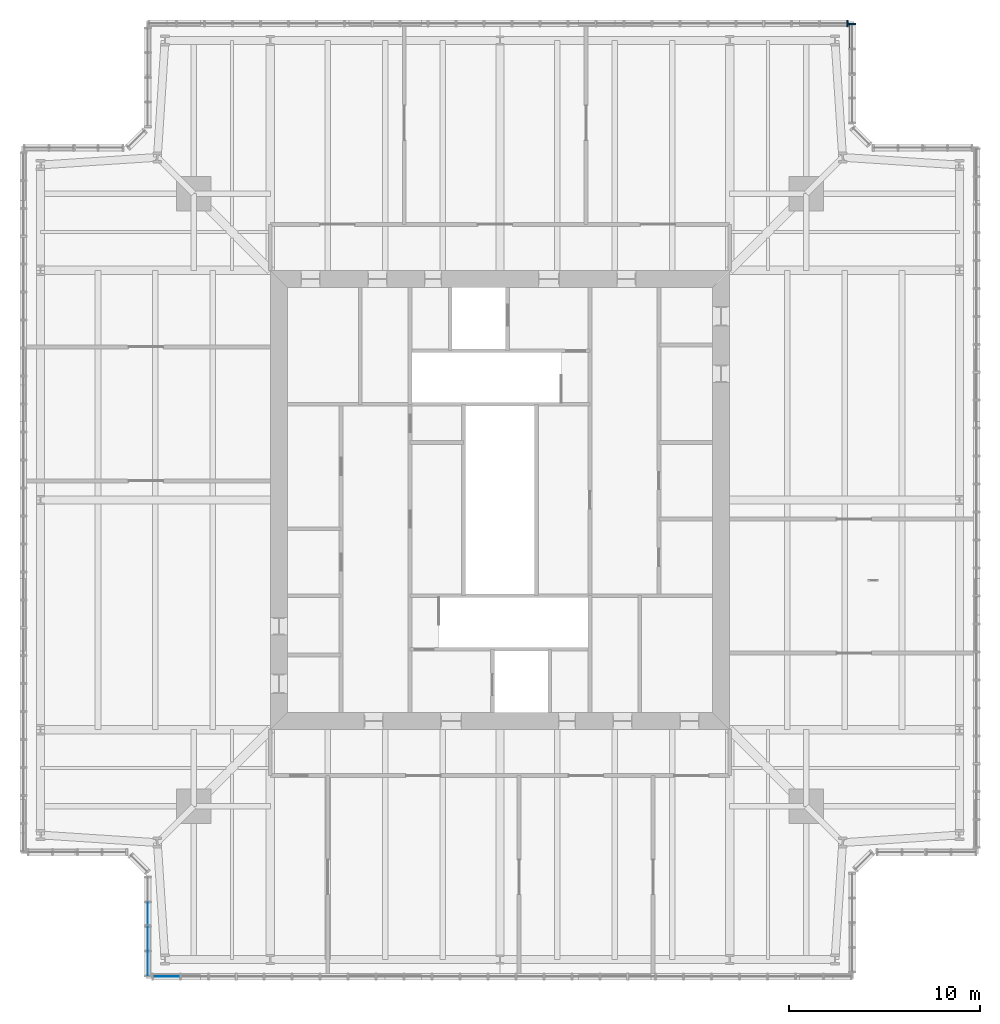
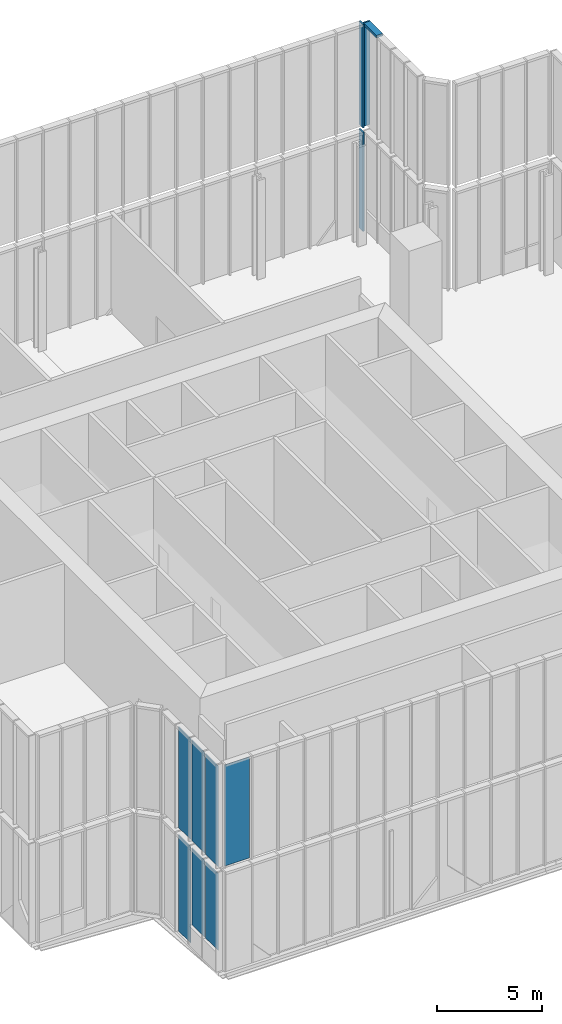
# One storey, part 12 of 25: 7 plates, 4 members, 6 elements without a shape of their own.
"""IFC4 building model written with IfcOpenShell, lengths in metres."""

from ifc_helpers import new_model, si_unit, direction, frame, origin, origin_2d, place, context, subcontext, project, spatial, polyline, rectangle, outline, extrude, material, layer, layer_set, material_profile, profile_set, type_object, element, aggregate, save


model = new_model("IFC4")

# Units and contexts
model_context = context("Model", 3, precision=1e-05, world=origin(), true_north=direction((0.0, 1.0)))
body_context = subcontext(model_context, "Body", "Model", "MODEL_VIEW")
ifc_project = project(units=[si_unit("LENGTHUNIT", "METRE"), si_unit("AREAUNIT", "SQUARE_METRE"), si_unit("VOLUMEUNIT", "CUBIC_METRE"), si_unit("PLANEANGLEUNIT", "RADIAN"), si_unit("MASSUNIT", "GRAM", prefix="KILO")], contexts=[model_context])

# Site, building, storey
site_placement = place(None, origin())
site = spatial("IfcSite", under=ifc_project, at=site_placement, CompositionType="ELEMENT")
building_placement = place(site_placement, origin())
building = spatial("IfcBuilding", under=site, at=building_placement, Name="Fenwick Lantern Interchange", CompositionType="ELEMENT")
storey_placement = place(building_placement, frame((0.0, 0.0, 307.800048828125)))
storey = spatial("IfcBuildingStorey", under=building, at=storey_placement, Name="L74", CompositionType="ELEMENT", Elevation=307.800048828125)

# Curtain wall, member
ifc_material_1 = material(Name="Aluminium curtain wall frame", Category="aluminium")
curtain_wall_type = type_object("IfcCurtainWallType", Name="LANTERN GLAZING", PredefinedType="USERDEFINED", material=ifc_material_1)
curtain_wall_1_placement = place(storey_placement, origin())
curtain_wall_1 = element("IfcCurtainWall", 1, at=curtain_wall_1_placement, inside=storey, type_object=curtain_wall_type, Name="Lantern glazing 09", ObjectType="LANTERN GLAZING", PredefinedType="USERDEFINED")
ifc_material_2 = material(Name="Aluminium extrusion", Category="aluminium")
ifc_material_profile_1 = material_profile(ifc_material_2, rectangle(XDim=0.35009765625, YDim=0.080078125, at=origin_2d()), Name="LANTERN GLAZING MULLION 80 X 350")
ifc_profile_set_1 = profile_set([ifc_material_profile_1], Name="Aluminium extrusion")
member_type_1 = type_object("IfcMemberType", Name="LANTERN GLAZING MULLION 80 X 350", PredefinedType="MULLION", material=ifc_profile_set_1)
member_1_placement = place(storey_placement, frame((43.159912109375, 49.89990234375, 0.0), z_axis=(0.0, 0.0, 1.0), x_axis=(0.0, -1.0, 0.0)))
member_1 = element("IfcMember", 2, at=member_1_placement, type_object=member_type_1, Name="L74/CW/09/M00", PredefinedType="MULLION", context=body_context, shape_type="SweptSolid", body=[
    extrude(rectangle(XDim=0.35009765625, YDim=0.080078125, at=origin_2d()), origin(), (0.0, 0.0, 1.0), 5.75),
])
aggregate(curtain_wall_1, [member_1])

curtain_wall_2_placement = place(storey_placement, origin())
curtain_wall_2 = element("IfcCurtainWall", 3, at=curtain_wall_2_placement, inside=storey, type_object=curtain_wall_type, Name="Lantern glazing 08", ObjectType="LANTERN GLAZING", PredefinedType="USERDEFINED")
member_2_placement = place(storey_placement, frame((43.39990234375, 49.860107421875, 6.0), z_axis=(0.0, 0.0, 1.0), x_axis=(-1.0, 0.0, 0.0)))
member_2 = element("IfcMember", 4, at=member_2_placement, type_object=member_type_1, Name="RF/LANTERN/08/M04", PredefinedType="MULLION", context=body_context, shape_type="SweptSolid", body=[
    extrude(rectangle(XDim=0.35009765625, YDim=0.080078125, at=origin_2d()), origin(), (0.0, 0.0, 1.0), 6.0),
])

curtain_wall_3_placement = place(storey_placement, origin())
curtain_wall_3 = element("IfcCurtainWall", 5, at=curtain_wall_3_placement, inside=storey, type_object=curtain_wall_type, Name="Lantern glazing 09", ObjectType="LANTERN GLAZING", PredefinedType="USERDEFINED")
member_3_placement = place(storey_placement, frame((43.159912109375, 49.89990234375, 6.0), z_axis=(0.0, 0.0, 1.0), x_axis=(0.0, -1.0, 0.0)))
member_3 = element("IfcMember", 6, at=member_3_placement, type_object=member_type_1, Name="RF/LANTERN/09/M00", PredefinedType="MULLION", context=body_context, shape_type="SweptSolid", body=[
    extrude(rectangle(XDim=0.35009765625, YDim=0.080078125, at=origin_2d()), origin(), (0.0, 0.0, 1.0), 6.0),
])
aggregate(curtain_wall_3, [member_3])

# Member
ifc_material_profile_2 = material_profile(ifc_material_2, rectangle(XDim=0.35009765625, YDim=0.139892578125, at=origin_2d()), Name="LANTERN GLAZING TRANSOM 140 X 350")
ifc_profile_set_2 = profile_set([ifc_material_profile_2], Name="Aluminium extrusion")
member_type_2 = type_object("IfcMemberType", Name="LANTERN GLAZING TRANSOM 140 X 350", PredefinedType="MULLION", material=ifc_profile_set_2)
member_4_placement = place(storey_placement, frame((43.39990234375, 48.609619140625, 11.929931640625), z_axis=(0.0, 1.0, 0.0), x_axis=(-1.0, 0.0, 0.0)))
member_4 = element("IfcMember", 7, at=member_4_placement, type_object=member_type_2, Name="RF/LANTERN/08/T03", PredefinedType="MULLION", context=body_context, shape_type="SweptSolid", body=[
    extrude(rectangle(XDim=0.35009765625, YDim=0.139892578125, at=origin_2d()), origin(), (0.0, 0.0, 1.0), 1.21044921875),
])

aggregate(curtain_wall_2, [member_2, member_4])

# Curtain wall, plates
curtain_wall_4_placement = place(storey_placement, origin())
curtain_wall_4 = element("IfcCurtainWall", 8, at=curtain_wall_4_placement, inside=storey, type_object=curtain_wall_type, Name="Lantern glazing 16", ObjectType="LANTERN GLAZING", PredefinedType="USERDEFINED")
ifc_material_3 = material(Name="Lantern glass, fritted laminated single glazing", Category="glass")
ifc_layer = layer(ifc_material_3, 0.02197265625)
ifc_layer_set = layer_set([ifc_layer], Name="LANTERN GLAZING PANEL 22")
plate_type = type_object("IfcPlateType", Name="LANTERN GLAZING PANEL 22", PredefinedType="CURTAIN_PANEL", material=ifc_layer_set)
plate_1_placement = place(storey_placement, frame((6.60009765625, 5.54150390625, 0.0), z_axis=(0.0, 0.0, 1.0), x_axis=(0.0, -1.0, 0.0)))
plate_1 = element("IfcPlate", 9, at=plate_1_placement, type_object=plate_type, Name="L74/CW/16/P01a", PredefinedType="CURTAIN_PANEL", context=body_context, shape_type="SweptSolid", body=[
    extrude(outline(polyline([(1.5703125, 0.0), (2.741455078125, 0.0), (2.741455078125, 5.60986328125), (1.5703125, 5.60986328125), (1.5703125, 0.0)])), frame((0.0, 0.010986328125, 0.0), z_axis=(0.0, -1.0, 0.0), x_axis=(1.0, 0.0, 0.0)), (0.0, 0.0, 1.0), 0.02197265625),
])
plate_2_placement = place(storey_placement, frame((6.60009765625, 5.54150390625, 1.14990234375), z_axis=(0.0, 0.0, 1.0), x_axis=(0.0, -1.0, 0.0)))
plate_2 = element("IfcPlate", 10, at=plate_2_placement, type_object=plate_type, Name="L74/CW/16/P02a", PredefinedType="CURTAIN_PANEL", context=body_context, shape_type="SweptSolid", body=[
    extrude(outline(polyline([(2.860595703125, 0.0), (4.071044921875, 0.0), (4.071044921875, 4.4599609375), (2.860595703125, 4.4599609375), (2.860595703125, 0.0)])), frame((0.0, 0.010986328125, 0.0), z_axis=(0.0, -1.0, 0.0), x_axis=(1.0, 0.0, 0.0)), (0.0, 0.0, 1.0), 0.02197265625),
])
plate_3_placement = place(storey_placement, frame((6.60009765625, 5.54150390625, 1.14990234375), z_axis=(0.0, 0.0, 1.0), x_axis=(0.0, -1.0, 0.0)))
plate_3 = element("IfcPlate", 11, at=plate_3_placement, type_object=plate_type, Name="L74/CW/16/P03a", PredefinedType="CURTAIN_PANEL", context=body_context, shape_type="SweptSolid", body=[
    extrude(outline(polyline([(4.151123046875, 0.0), (5.361328125, 0.0), (5.361328125, 4.4599609375), (4.151123046875, 4.4599609375), (4.151123046875, 0.0)])), frame((0.0, 0.010986328125, 0.0), z_axis=(0.0, -1.0, 0.0), x_axis=(1.0, 0.0, 0.0)), (0.0, 0.0, 1.0), 0.02197265625),
])
aggregate(curtain_wall_4, [plate_1, plate_2, plate_3])

# Curtain wall, plate
curtain_wall_5_placement = place(storey_placement, origin())
curtain_wall_5 = element("IfcCurtainWall", 12, at=curtain_wall_5_placement, inside=storey, type_object=curtain_wall_type, Name="Lantern glazing 01", ObjectType="LANTERN GLAZING", PredefinedType="USERDEFINED")
plate_4_placement = place(storey_placement, frame((7.5703125, 0.10009765625, 6.0), z_axis=(0.0, 0.0, 1.0), x_axis=(1.0, 0.0, 0.0)))
plate_4 = element("IfcPlate", 13, at=plate_4_placement, type_object=plate_type, Name="RF/LANTERN/01/P00", PredefinedType="CURTAIN_PANEL", context=body_context, shape_type="SweptSolid", body=[
    extrude(rectangle(XDim=1.380859375, YDim=0.02197265625, at=origin_2d()), origin(), (0.0, 0.0, 1.0), 5.860107421875),
])
aggregate(curtain_wall_5, [plate_4])

# Curtain wall, plates
curtain_wall_6_placement = place(storey_placement, origin())
curtain_wall_6 = element("IfcCurtainWall", 14, at=curtain_wall_6_placement, inside=storey, type_object=curtain_wall_type, Name="Lantern glazing 16", ObjectType="LANTERN GLAZING", PredefinedType="USERDEFINED")
plate_5_placement = place(storey_placement, frame((6.60009765625, 3.365966796875, 6.0), z_axis=(0.0, 0.0, 1.0), x_axis=(0.0, -1.0, 0.0)))
plate_5 = element("IfcPlate", 15, at=plate_5_placement, type_object=plate_type, Name="RF/LANTERN/16/P01", PredefinedType="CURTAIN_PANEL", context=body_context, shape_type="SweptSolid", body=[
    extrude(rectangle(XDim=1.21044921875, YDim=0.02197265625, at=origin_2d()), origin(), (0.0, 0.0, 1.0), 5.860107421875),
])
plate_6_placement = place(storey_placement, frame((6.60009765625, 2.075439453125, 6.0), z_axis=(0.0, 0.0, 1.0), x_axis=(0.0, -1.0, 0.0)))
plate_6 = element("IfcPlate", 16, at=plate_6_placement, type_object=plate_type, Name="RF/LANTERN/16/P02", PredefinedType="CURTAIN_PANEL", context=body_context, shape_type="SweptSolid", body=[
    extrude(rectangle(XDim=1.21044921875, YDim=0.02197265625, at=origin_2d()), origin(), (0.0, 0.0, 1.0), 5.860107421875),
])
plate_7_placement = place(storey_placement, frame((6.60009765625, 0.78515625, 6.0), z_axis=(0.0, 0.0, 1.0), x_axis=(0.0, -1.0, 0.0)))
plate_7 = element("IfcPlate", 17, at=plate_7_placement, type_object=plate_type, Name="RF/LANTERN/16/P03", PredefinedType="CURTAIN_PANEL", context=body_context, shape_type="SweptSolid", body=[
    extrude(rectangle(XDim=1.21044921875, YDim=0.02197265625, at=origin_2d()), origin(), (0.0, 0.0, 1.0), 5.860107421875),
])
aggregate(curtain_wall_6, [plate_5, plate_6, plate_7])

save(model, "model.ifc")
